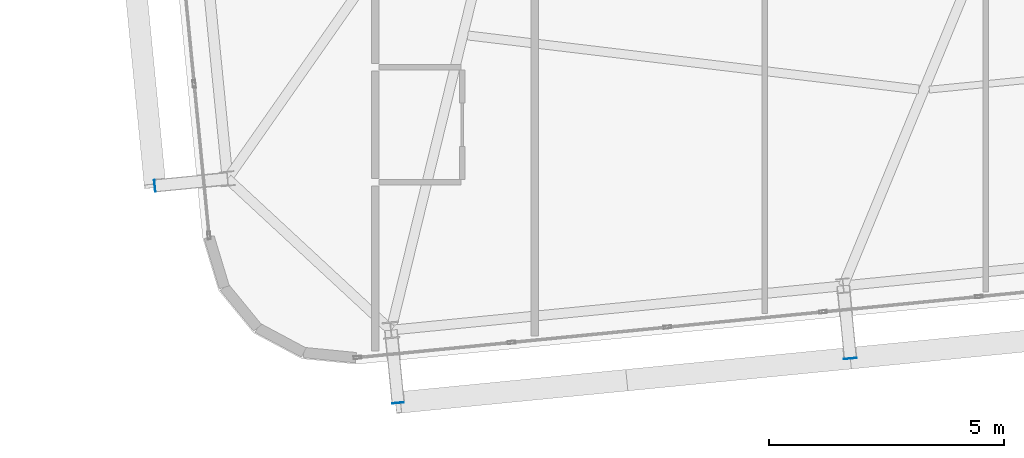
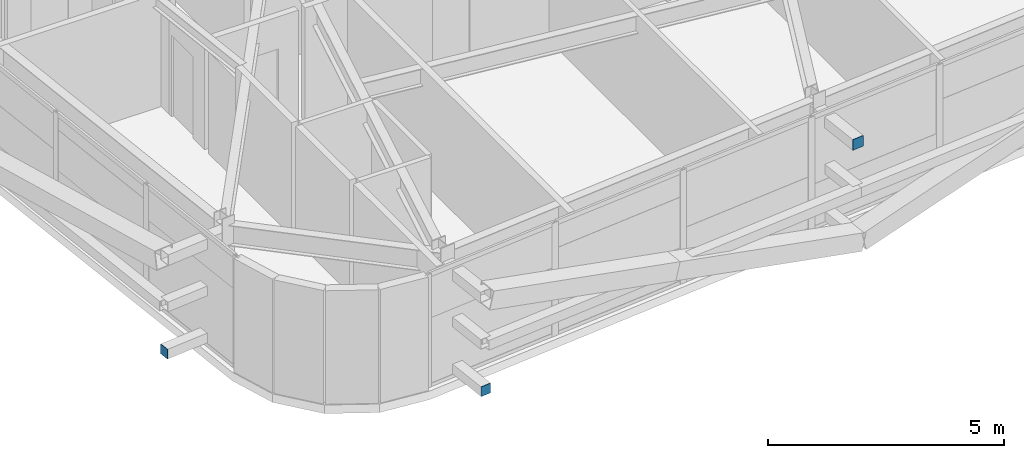
# One storey, part 38 of 53: 3 plates.
"""IFC4 building model written with IfcOpenShell, lengths in metres."""

from ifc_helpers import new_model, si_unit, direction, frame, origin, origin_2d, place, context, subcontext, project, spatial, rectangle, extrude, source, transform, mapped, material, layer, layer_set, type_object, element, save


model = new_model("IFC4")

# Units and contexts
model_context = context("Model", 3, precision=1e-05, world=origin(), true_north=direction((0.0, 1.0)))
body_context = subcontext(model_context, "Body", "Model", "MODEL_VIEW")
ifc_project = project(units=[si_unit("LENGTHUNIT", "METRE"), si_unit("AREAUNIT", "SQUARE_METRE"), si_unit("VOLUMEUNIT", "CUBIC_METRE"), si_unit("PLANEANGLEUNIT", "RADIAN"), si_unit("MASSUNIT", "GRAM", prefix="KILO")], contexts=[model_context])

# Site, building, storey
site_placement = place(None, origin())
site = spatial("IfcSite", under=ifc_project, at=site_placement, CompositionType="ELEMENT")
building_placement = place(site_placement, origin())
building = spatial("IfcBuilding", under=site, at=building_placement, Name="Taldren Reach Tower", CompositionType="ELEMENT")
storey_placement = place(building_placement, frame((0.0, 0.0, 71.39990234375)))
storey = spatial("IfcBuildingStorey", under=building, at=storey_placement, Name="L21", CompositionType="ELEMENT", Elevation=71.39990234375)

# Plates
ifc_material_1 = material(Name="Steel Gr 450 (C450L0)", Category="steel")
ifc_layer_1 = layer(ifc_material_1, 0.011962890625)
ifc_layer_set_1 = layer_set([ifc_layer_1], Name="Steel Gr 450 (C450L0)")
plate_type_1 = type_object("IfcPlateType", Name="PL-CAP-275", PredefinedType="SHEET", material=ifc_layer_set_1)
shared_shape_1 = source(origin(), body_context, "Body", "SweptSolid", [
    extrude(rectangle(XDim=0.27490234375, YDim=0.011962890625, at=origin_2d()), origin(), (0.0, 0.0, 1.0), 0.27490234375),
])
plate_1_placement = place(storey_placement, frame((24.7197265625, -0.683837890625, 2.5126953125), z_axis=(0.0, 0.0, 1.0), x_axis=(0.995227399982, 0.097582899759, 0.0)))
element("IfcPlate", 1, at=plate_1_placement, inside=storey, type_object=plate_type_1, Name="Tie strut end cap plate B2-S2 L21", PredefinedType="SHEET", context=body_context, shape_type="MappedRepresentation", body=[
    mapped(shared_shape_1, transform((0.0, 0.0, 0.0), scale=1.0)),
])
ifc_material_2 = material(Name="Steel Gr 350 (C350L0)", Category="steel")
ifc_layer_2 = layer(ifc_material_2, 0.011962890625)
ifc_layer_set_2 = layer_set([ifc_layer_2], Name="Steel Gr 350 (C350L0)")
plate_type_2 = type_object("IfcPlateType", Name="PL-CAP-250", PredefinedType="SHEET", material=ifc_layer_set_2)
shared_shape_2 = source(origin(), body_context, "Body", "SweptSolid", [
    extrude(rectangle(XDim=0.25, YDim=0.011962890625, at=origin_2d()), origin(), (0.0, 0.0, 1.0), 0.25),
])
plate_2_placement = place(storey_placement, frame((15.0859375, -1.62841796875, 0.09521484375), z_axis=(0.0, 0.0, 1.0), x_axis=(0.995227399982, 0.097582899759, 0.0)))
element("IfcPlate", 2, at=plate_2_placement, inside=storey, type_object=plate_type_2, Name="Tie strut end cap plate B2-S1 L21", PredefinedType="SHEET", context=body_context, shape_type="MappedRepresentation", body=[
    mapped(shared_shape_2, transform((0.0, 0.0, 0.0), scale=1.0)),
])
shared_shape_3 = source(origin(), body_context, "Body", "SweptSolid", [
    extrude(rectangle(XDim=0.011962890625, YDim=0.25, at=origin_2d()), origin(), (0.0, 0.0, 1.0), 0.25),
])
plate_3_placement = place(storey_placement, frame((9.904296875, 2.993896484375, 0.09521484375), z_axis=(0.0, 0.0, 1.0), x_axis=(0.995227399982, 0.097582899759, 0.0)))
element("IfcPlate", 3, at=plate_3_placement, inside=storey, type_object=plate_type_2, Name="Tie strut end cap plate B2-W1 L21", PredefinedType="SHEET", context=body_context, shape_type="MappedRepresentation", body=[
    mapped(shared_shape_3, transform((0.0, 0.0, 0.0), scale=1.0)),
])

save(model, "model.ifc")
